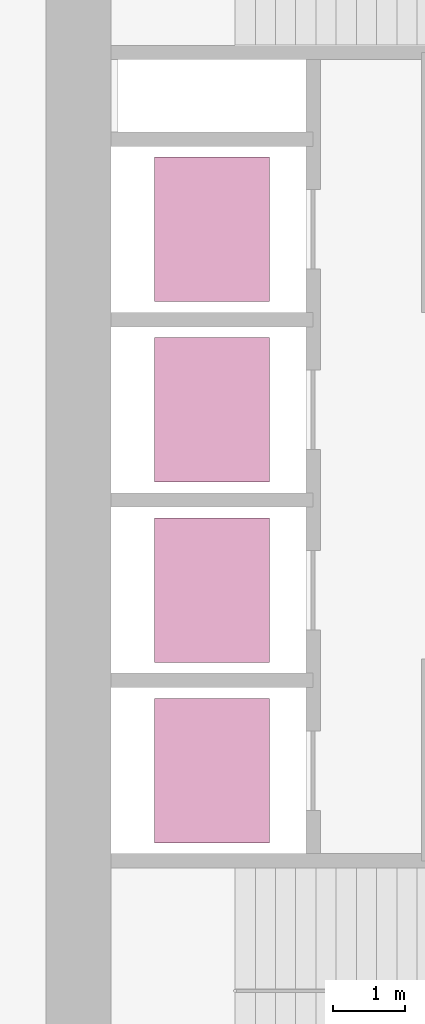
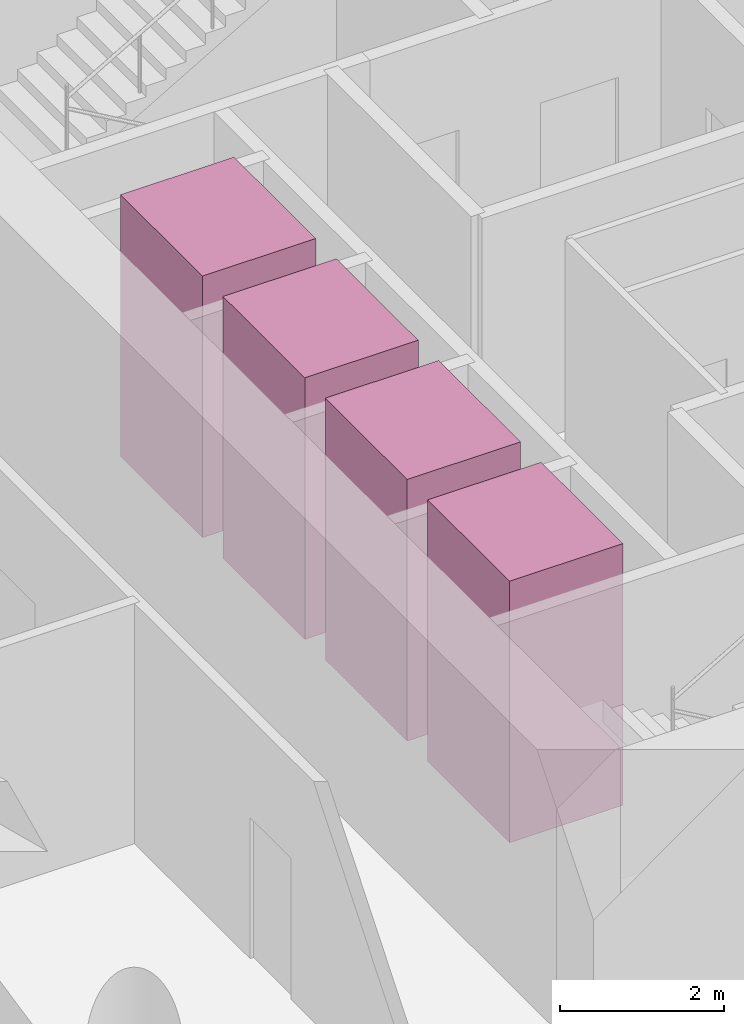
# One storey, part 10 of 10: 4 transport elements.
"""IFC4 building model written with IfcOpenShell, lengths in metres."""

from ifc_helpers import new_model, si_unit, direction, frame, origin, origin_2d, place, context, subcontext, project, spatial, rectangle, extrude, material, type_object, element, save


model = new_model("IFC4")

# Units and contexts
model_context = context("Model", 3, precision=1e-05, world=origin(), true_north=direction((0.0, 1.0)))
body_context = subcontext(model_context, "Body", "Model", "MODEL_VIEW")
ifc_project = project(units=[si_unit("LENGTHUNIT", "METRE"), si_unit("AREAUNIT", "SQUARE_METRE"), si_unit("VOLUMEUNIT", "CUBIC_METRE"), si_unit("PLANEANGLEUNIT", "RADIAN"), si_unit("MASSUNIT", "GRAM", prefix="KILO")], contexts=[model_context])

# Site, building, storey
site_placement = place(None, origin())
site = spatial("IfcSite", under=ifc_project, at=site_placement, CompositionType="ELEMENT")
building_placement = place(site_placement, origin())
building = spatial("IfcBuilding", under=site, at=building_placement, Name="Qaws Garden Tower", CompositionType="ELEMENT")
storey_placement = place(building_placement, frame((0.0, 0.0, 97.800048828125)))
storey = spatial("IfcBuildingStorey", under=building, at=storey_placement, Name="L24", CompositionType="ELEMENT", Elevation=97.800048828125)

# Transport elements
ifc_material = material(Name="Stainless steel 316", Category="steel")
transport_element_type = type_object("IfcTransportElementType", Name="Passenger lift car 2000x1600 1800 kg", PredefinedType="ELEVATOR", material=ifc_material)
for number, where, z_axis, x_axis, name in (
    (1, (10.300048828125, 13.64990234375, 0.0), (0.0, 0.0, 1.0), (1.0, 0.0, 0.0), "LR1"),
    (2, (10.300048828125, 16.14990234375, 0.0), (0.0, 0.0, 1.0), (1.0, 0.0, 0.0), "LR2"),
    (3, (10.300048828125, 18.64990234375, 0.0), (0.0, 0.0, 1.0), (1.0, 0.0, 0.0), "LR3"),
    (4, (10.300048828125, 21.14990234375, 0.0), (0.0, 0.0, 1.0), (1.0, 0.0, 0.0), "LR4"),
):
    element("IfcTransportElement", number, at=place(storey_placement, frame(where, z_axis=z_axis, x_axis=x_axis)), inside=storey, type_object=transport_element_type, Name=name, PredefinedType="ELEVATOR", context=body_context, shape_type="SweptSolid", body=[
        extrude(rectangle(XDim=1.60009765625, YDim=2.0, at=origin_2d()), origin(), (0.0, 0.0, 1.0), 3.89990234375),
    ])

save(model, "model.ifc")
